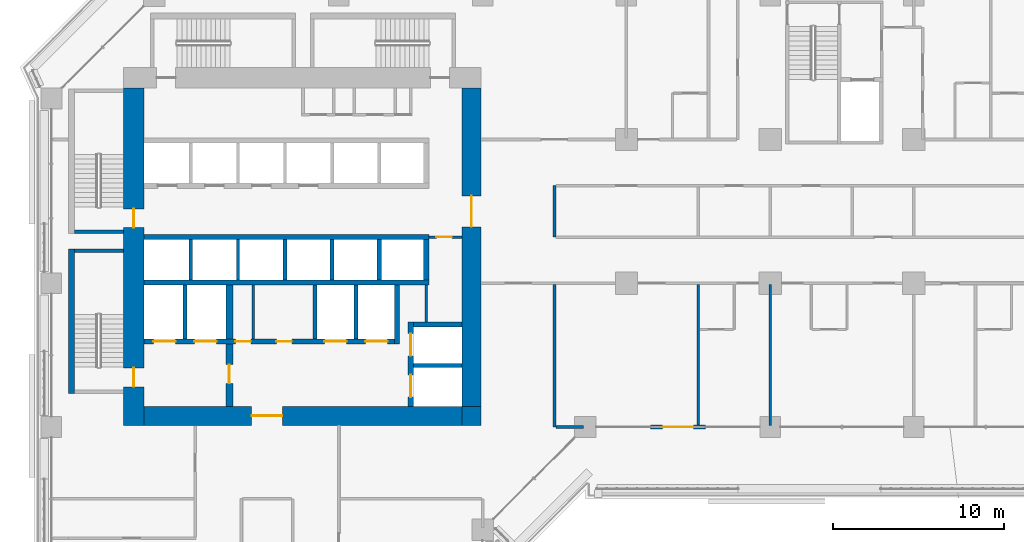
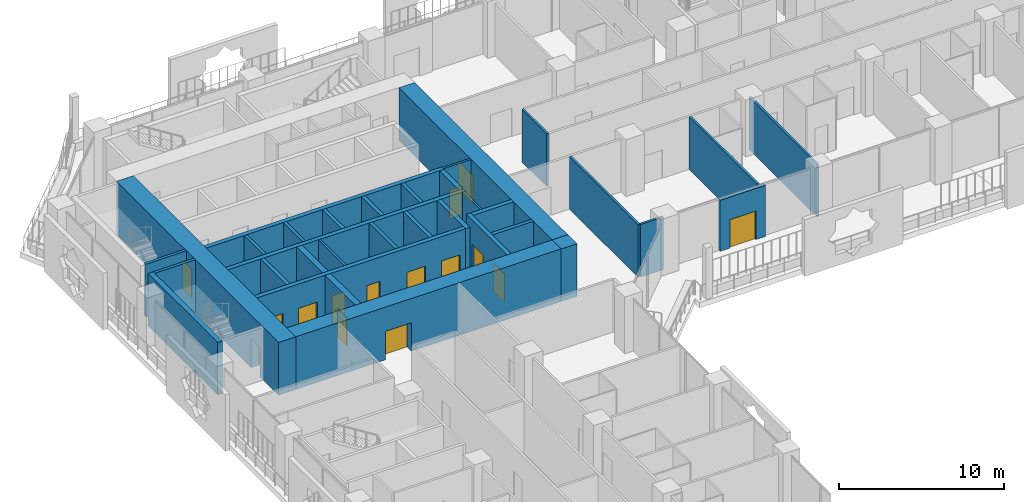
# One storey, part 15 of 27: 34 walls, 15 doors, 15 openings.
"""IFC4 building model written with IfcOpenShell, lengths in metres."""

from ifc_helpers import new_model, si_unit, direction, frame, frame_2d, origin, place, context, subcontext, project, spatial, rectangle, extrude, material, layer, layer_set, type_object, element, fill, save


model = new_model("IFC4")

# Units and contexts
model_context = context("Model", 3, precision=1e-05, world=origin(), true_north=direction((0.0, 1.0)))
body_context = subcontext(model_context, "Body", "Model", "MODEL_VIEW")
ifc_project = project(units=[si_unit("LENGTHUNIT", "METRE"), si_unit("AREAUNIT", "SQUARE_METRE"), si_unit("VOLUMEUNIT", "CUBIC_METRE"), si_unit("PLANEANGLEUNIT", "RADIAN"), si_unit("MASSUNIT", "GRAM", prefix="KILO")], contexts=[model_context])

# Site, building, storey
site_placement = place(None, origin())
site = spatial("IfcSite", under=ifc_project, at=site_placement, CompositionType="ELEMENT")
building_placement = place(site_placement, origin())
building = spatial("IfcBuilding", under=site, at=building_placement, Name="Kawkab Arch Medical Tower", CompositionType="ELEMENT")
storey_placement = place(building_placement, frame((0.0, 0.0, 85.39990234375)))
storey = spatial("IfcBuildingStorey", under=building, at=storey_placement, Name="L19", CompositionType="ELEMENT", Elevation=85.39990234375)

# Wall, opening, door
ifc_material_1 = material(Name="Concrete C60/75", Category="concrete")
ifc_layer_1 = layer(ifc_material_1, 1.10009765625)
ifc_layer_set_1 = layer_set([ifc_layer_1], Name="Concrete C60/75")
wall_type_1 = type_object("IfcWallType", Name="Core ring wall 1100 C60/75", PredefinedType="SHEAR", material=ifc_layer_set_1)
wall_1_placement = place(storey_placement, frame((24.550048828125, -24.0, 0.0), z_axis=(0.0, 0.0, 1.0), x_axis=(0.0, 1.0, 0.0)))
wall_1 = element("IfcWall", 1, at=wall_1_placement, inside=storey, type_object=wall_type_1, Name="L19 core wall", PredefinedType="SHEAR", context=body_context, shape_type="SweptSolid", body=[
    extrude(rectangle(XDim=18.60009765625, YDim=1.10009765625, at=frame_2d((9.300048828125, 0.0))), origin(), (0.0, 0.0, 1.0), 3.900146484375),
])
opening_1_placement = place(wall_1_placement, frame((10.5, 0.0, 0.0)))
opening_1 = element("IfcOpeningElement", 2, at=opening_1_placement, cuts=wall_1, Name="Opening PD", PredefinedType="OPENING", context=body_context, shape_type="SweptSolid", body=[
    extrude(rectangle(XDim=1.800048828125, YDim=2.10009765625, at=frame_2d((0.89990234375, 1.050048828125))), frame((0.0, 0.56005859375, 0.0), z_axis=(0.0, -1.0, 0.0), x_axis=(1.0, 0.0, 0.0)), (0.0, 0.0, 1.0), 1.1201171875),
])
ifc_material_2 = material(Name="Hollow metal fire door leaf")
door_type_1 = type_object("IfcDoorType", Name="Core entrance doors 1800", OperationType="DOUBLE_DOOR_SINGLE_SWING", PredefinedType="DOOR", material=ifc_material_2)
door_1_placement = place(opening_1_placement, origin())
door_1 = element("IfcDoor", 3, at=door_1_placement, inside=storey, type_object=door_type_1, Name="L19 East entrance doors", OperationType="DOUBLE_DOOR_SINGLE_SWING", OverallHeight=2.10009765625, OverallWidth=1.800048828125, PredefinedType="DOOR", context=body_context, shape_type="SweptSolid", body=[
    extrude(rectangle(XDim=1.800048828125, YDim=2.10009765625, at=frame_2d((0.89990234375, 1.050048828125))), frame((0.0, 0.02490234375, 0.0), z_axis=(0.0, -1.0, 0.0), x_axis=(1.0, 0.0, 0.0)), (0.0, 0.0, 1.0), 0.050048828125),
])
fill(opening_1, door_1)

wall_2_placement = place(storey_placement, frame((5.39990234375, -24.550048828125, 0.0), z_axis=(0.0, 0.0, 1.0), x_axis=(1.0, 0.0, 0.0)))
wall_2 = element("IfcWall", 4, at=wall_2_placement, inside=storey, type_object=wall_type_1, Name="L19 core wall", PredefinedType="SHEAR", context=body_context, shape_type="SweptSolid", body=[
    extrude(rectangle(XDim=18.60009765625, YDim=1.10009765625, at=frame_2d((9.300048828125, 0.0))), origin(), (0.0, 0.0, 1.0), 3.900146484375),
])
opening_2_placement = place(wall_2_placement, frame((6.300048828125, 0.0, 0.0)))
opening_2 = element("IfcOpeningElement", 5, at=opening_2_placement, cuts=wall_2, Name="Opening PD", PredefinedType="OPENING", context=body_context, shape_type="SweptSolid", body=[
    extrude(rectangle(XDim=1.800048828125, YDim=2.10009765625, at=frame_2d((0.89990234375, 1.050048828125))), frame((0.0, 0.56005859375, 0.0), z_axis=(0.0, -1.0, 0.0), x_axis=(1.0, 0.0, 0.0)), (0.0, 0.0, 1.0), 1.1201171875),
])
door_2_placement = place(opening_2_placement, origin())
door_2 = element("IfcDoor", 6, at=door_2_placement, inside=storey, type_object=door_type_1, Name="L19 South entrance doors", OperationType="DOUBLE_DOOR_SINGLE_SWING", OverallHeight=2.10009765625, OverallWidth=1.800048828125, PredefinedType="DOOR", context=body_context, shape_type="SweptSolid", body=[
    extrude(rectangle(XDim=1.800048828125, YDim=2.10009765625, at=frame_2d((0.89990234375, 1.050048828125))), frame((0.0, 0.02490234375, 0.0), z_axis=(0.0, -1.0, 0.0), x_axis=(1.0, 0.0, 0.0)), (0.0, 0.0, 1.0), 0.050048828125),
])
fill(opening_2, door_2)

# Wall
wall_3_placement = place(storey_placement, frame((24.550048828125, -25.10009765625, 0.0), z_axis=(0.0, 0.0, 1.0), x_axis=(0.0, 1.0, 0.0)))
element("IfcWall", 7, at=wall_3_placement, inside=storey, type_object=wall_type_1, Name="L19 core wall", PredefinedType="SHEAR", context=body_context, shape_type="SweptSolid", body=[
    extrude(rectangle(XDim=1.10009765625, YDim=1.10009765625, at=frame_2d((0.550048828125, 0.0))), origin(), (0.0, 0.0, 1.0), 3.900146484375),
])

# Wall, openings, doors
ifc_material_3 = material(Name="Concrete C60/75", Category="concrete")
ifc_layer_2 = layer(ifc_material_3, 1.199951171875)
ifc_layer_set_2 = layer_set([ifc_layer_2], Name="Concrete C60/75")
wall_type_2 = type_object("IfcWallType", Name="Core ring wall 1200 C60/75", PredefinedType="SHEAR", material=ifc_layer_set_2)
wall_4_placement = place(storey_placement, frame((4.800048828125, -25.10009765625, 0.0), z_axis=(0.0, 0.0, 1.0), x_axis=(0.0, 1.0, 0.0)))
wall_4 = element("IfcWall", 8, at=wall_4_placement, inside=storey, type_object=wall_type_2, Name="L19 core wall", PredefinedType="SHEAR", context=body_context, shape_type="SweptSolid", body=[
    extrude(rectangle(XDim=19.7001953125, YDim=1.199951171875, at=frame_2d((9.85009765625, 0.0))), origin(), (0.0, 0.0, 1.0), 3.900146484375),
])
opening_3_placement = place(wall_4_placement, frame((11.550048828125, 0.0, 0.0)))
opening_3 = element("IfcOpeningElement", 9, at=opening_3_placement, cuts=wall_4, Name="Opening SD", PredefinedType="OPENING", context=body_context, shape_type="SweptSolid", body=[
    extrude(rectangle(XDim=1.10009765625, YDim=2.10009765625, at=frame_2d((0.550048828125, 1.050048828125))), frame((0.0, 0.60986328125, 0.0), z_axis=(0.0, -1.0, 0.0), x_axis=(1.0, 0.0, 0.0)), (0.0, 0.0, 1.0), 1.219970703125),
])
opening_4_placement = place(wall_4_placement, frame((2.25, 0.0, 0.0)))
opening_4 = element("IfcOpeningElement", 10, at=opening_4_placement, cuts=wall_4, Name="Opening SD", PredefinedType="OPENING", context=body_context, shape_type="SweptSolid", body=[
    extrude(rectangle(XDim=1.10009765625, YDim=2.10009765625, at=frame_2d((0.550048828125, 1.050048828125))), frame((0.0, 0.60986328125, 0.0), z_axis=(0.0, -1.0, 0.0), x_axis=(1.0, 0.0, 0.0)), (0.0, 0.0, 1.0), 1.219970703125),
])
ifc_material_4 = material(Name="Hollow metal fire door leaf")
door_type_2 = type_object("IfcDoorType", Name="Exit stair door 1100", OperationType="SINGLE_SWING_LEFT", PredefinedType="DOOR", material=ifc_material_4)
door_3_placement = place(opening_3_placement, origin())
door_3 = element("IfcDoor", 11, at=door_3_placement, inside=storey, type_object=door_type_2, Name="L19 Exit stair ST1 door", OperationType="SINGLE_SWING_LEFT", OverallHeight=2.10009765625, OverallWidth=1.10009765625, PredefinedType="DOOR", context=body_context, shape_type="SweptSolid", body=[
    extrude(rectangle(XDim=1.10009765625, YDim=2.10009765625, at=frame_2d((0.550048828125, 1.050048828125))), frame((0.0, 0.02490234375, 0.0), z_axis=(0.0, -1.0, 0.0), x_axis=(1.0, 0.0, 0.0)), (0.0, 0.0, 1.0), 0.050048828125),
])
fill(opening_3, door_3)
door_4_placement = place(opening_4_placement, origin())
door_4 = element("IfcDoor", 12, at=door_4_placement, inside=storey, type_object=door_type_2, Name="L19 Exit stair ST2 door", OperationType="SINGLE_SWING_LEFT", OverallHeight=2.10009765625, OverallWidth=1.10009765625, PredefinedType="DOOR", context=body_context, shape_type="SweptSolid", body=[
    extrude(rectangle(XDim=1.10009765625, YDim=2.10009765625, at=frame_2d((0.550048828125, 1.050048828125))), frame((0.0, 0.02490234375, 0.0), z_axis=(0.0, -1.0, 0.0), x_axis=(1.0, 0.0, 0.0)), (0.0, 0.0, 1.0), 0.050048828125),
])
fill(opening_4, door_4)

# Wall
ifc_material_5 = material(Name="Gypsum board on steel studs", Category="steel")
ifc_layer_3 = layer(ifc_material_5, 0.14990234375)
ifc_layer_set_3 = layer_set([ifc_layer_3], Name="Gypsum board on steel studs")
wall_type_3 = type_object("IfcWallType", Name="Core room partition 150", PredefinedType="PARTITIONING", material=ifc_layer_set_3)
wall_5_placement = place(storey_placement, frame((21.89990234375, -19.050048828125, 0.0), z_axis=(0.0, 0.0, 1.0), x_axis=(0.0, 1.0, 0.0)))
element("IfcWall", 13, at=wall_5_placement, inside=storey, type_object=wall_type_3, Name="L19 core room partition", PredefinedType="PARTITIONING", context=body_context, shape_type="SweptSolid", body=[
    extrude(rectangle(XDim=2.150146484375, YDim=0.14990234375, at=frame_2d((1.0751953125, 0.0))), origin(), (0.0, 0.0, 1.0), 3.900146484375),
])

# Wall, opening, door
wall_6_placement = place(storey_placement, frame((22.050048828125, -14.10009765625, 0.0), z_axis=(0.0, 0.0, 1.0), x_axis=(1.0, 0.0, 0.0)))
wall_6 = element("IfcWall", 14, at=wall_6_placement, inside=storey, type_object=wall_type_3, Name="L19 core room partition", PredefinedType="PARTITIONING", context=body_context, shape_type="SweptSolid", body=[
    extrude(rectangle(XDim=1.949951171875, YDim=0.14990234375, at=frame_2d((0.97509765625, 0.0))), origin(), (0.0, 0.0, 1.0), 3.900146484375),
])
opening_5_placement = place(wall_6_placement, frame((0.449951171875, 0.0, 0.0)))
opening_5 = element("IfcOpeningElement", 15, at=opening_5_placement, cuts=wall_6, Name="Opening RD", PredefinedType="OPENING", context=body_context, shape_type="SweptSolid", body=[
    extrude(rectangle(XDim=0.89990234375, YDim=2.10009765625, at=frame_2d((0.449951171875, 1.050048828125))), frame((0.0, 0.0849609375, 0.0), z_axis=(0.0, -1.0, 0.0), x_axis=(1.0, 0.0, 0.0)), (0.0, 0.0, 1.0), 0.169921875),
])
ifc_material_6 = material(Name="Hollow metal fire door leaf")
door_type_3 = type_object("IfcDoorType", Name="Core room door 900", OperationType="SINGLE_SWING_LEFT", PredefinedType="DOOR", material=ifc_material_6)
door_5_placement = place(opening_5_placement, origin())
door_5 = element("IfcDoor", 16, at=door_5_placement, inside=storey, type_object=door_type_3, Name="L19 Ward pantry door", OperationType="SINGLE_SWING_LEFT", OverallHeight=2.10009765625, OverallWidth=0.89990234375, PredefinedType="DOOR", context=body_context, shape_type="SweptSolid", body=[
    extrude(rectangle(XDim=0.89990234375, YDim=2.10009765625, at=frame_2d((0.449951171875, 1.050048828125))), frame((0.0, 0.02490234375, 0.0), z_axis=(0.0, -1.0, 0.0), x_axis=(1.0, 0.0, 0.0)), (0.0, 0.0, 1.0), 0.050048828125),
])
fill(opening_5, door_5)

# Walls
wall_7_placement = place(storey_placement, frame((11.800048828125, -20.050048828125, 0.0), z_axis=(0.0, 0.0, 1.0), x_axis=(0.0, 1.0, 0.0)))
element("IfcWall", 17, at=wall_7_placement, inside=storey, type_object=wall_type_3, Name="L19 core room partition", PredefinedType="PARTITIONING", context=body_context, shape_type="SweptSolid", body=[
    extrude(rectangle(XDim=3.150146484375, YDim=0.14990234375, at=frame_2d((1.5751953125, 0.0))), origin(), (0.0, 0.0, 1.0), 3.900146484375),
])
ifc_material_7 = material(Name="Concrete C60/75", Category="concrete")
ifc_layer_4 = layer(ifc_material_7, 0.25)
ifc_layer_set_4 = layer_set([ifc_layer_4], Name="Concrete C60/75")
wall_type_4 = type_object("IfcWallType", Name="Core shear wall 250 C60/75", PredefinedType="SHEAR", material=ifc_layer_set_4)
wall_8_placement = place(storey_placement, frame((21.14990234375, -21.60009765625, 0.0), z_axis=(0.0, 0.0, 1.0), x_axis=(1.0, 0.0, 0.0)))
element("IfcWall", 18, at=wall_8_placement, inside=storey, type_object=wall_type_4, Name="L19 core shear wall", PredefinedType="SHEAR", context=body_context, shape_type="SweptSolid", body=[
    extrude(rectangle(XDim=2.85009765625, YDim=0.25, at=frame_2d((1.425048828125, 0.0))), origin(), (0.0, 0.0, 1.0), 3.900146484375),
])
for number, where, z_axis, x_axis, name in (
    (19, (7.800048828125, -20.050048828125, 0.0), (0.0, 0.0, 1.0), (0.0, 1.0, 0.0), "L19 core shear wall"),
    (20, (15.39990234375, -20.050048828125, 0.0), (0.0, 0.0, 1.0), (0.0, 1.0, 0.0), "L19 core shear wall"),
    (21, (17.800048828125, -20.050048828125, 0.0), (0.0, 0.0, 1.0), (0.0, 1.0, 0.0), "L19 core shear wall"),
):
    element("IfcWall", number, at=place(storey_placement, frame(where, z_axis=z_axis, x_axis=x_axis)), inside=storey, type_object=wall_type_4, Name=name, PredefinedType="SHEAR", context=body_context, shape_type="SweptSolid", body=[
        extrude(rectangle(XDim=3.150146484375, YDim=0.25, at=frame_2d((1.5751953125, 0.0))), origin(), (0.0, 0.0, 1.0), 3.900146484375),
    ])
for number, where, z_axis, x_axis, name in (
    (22, (13.64990234375, -16.60009765625, 0.0), (0.0, 0.0, 1.0), (0.0, 1.0, 0.0), "L19 core shear wall"),
    (23, (16.39990234375, -16.60009765625, 0.0), (0.0, 0.0, 1.0), (0.0, 1.0, 0.0), "L19 core shear wall"),
    (24, (19.14990234375, -16.60009765625, 0.0), (0.0, 0.0, 1.0), (0.0, 1.0, 0.0), "L19 core shear wall"),
):
    element("IfcWall", number, at=place(storey_placement, frame(where, z_axis=z_axis, x_axis=x_axis)), inside=storey, type_object=wall_type_4, Name=name, PredefinedType="SHEAR", context=body_context, shape_type="SweptSolid", body=[
        extrude(rectangle(XDim=2.35009765625, YDim=0.25, at=frame_2d((1.175048828125, 0.0))), origin(), (0.0, 0.0, 1.0), 3.900146484375),
    ])
ifc_material_8 = material(Name="Concrete C60/75", Category="concrete")
ifc_layer_5 = layer(ifc_material_8, 0.300048828125)
ifc_layer_set_5 = layer_set([ifc_layer_5], Name="Concrete C60/75")
wall_type_5 = type_object("IfcWallType", Name="Core shear wall 300 C60/75", PredefinedType="SHEAR", material=ifc_layer_set_5)
for number, where, z_axis, x_axis, name in (
    (25, (5.39990234375, -14.10009765625, 0.0), (0.0, 0.0, 1.0), (1.0, 0.0, 0.0), "L19 core shear wall"),
    (26, (5.39990234375, -16.75, 0.0), (0.0, 0.0, 1.0), (1.0, 0.0, 0.0), "L19 core shear wall"),
):
    element("IfcWall", number, at=place(storey_placement, frame(where, z_axis=z_axis, x_axis=x_axis)), inside=storey, type_object=wall_type_5, Name=name, PredefinedType="SHEAR", context=body_context, shape_type="SweptSolid", body=[
        extrude(rectangle(XDim=16.650146484375, YDim=0.300048828125, at=frame_2d((8.3251953125, 0.0))), origin(), (0.0, 0.0, 1.0), 3.900146484375),
    ])

# Wall, openings, doors
wall_9_placement = place(storey_placement, frame((5.39990234375, -20.199951171875, 0.0), z_axis=(0.0, 0.0, 1.0), x_axis=(1.0, 0.0, 0.0)))
wall_9 = element("IfcWall", 27, at=wall_9_placement, inside=storey, type_object=wall_type_5, Name="L19 core shear wall", PredefinedType="SHEAR", context=body_context, shape_type="SweptSolid", body=[
    extrude(rectangle(XDim=14.650146484375, YDim=0.300048828125, at=frame_2d((7.3251953125, 0.0))), origin(), (0.0, 0.0, 1.0), 3.900146484375),
])
opening_6_placement = place(wall_9_placement, frame((10.550048828125, 0.0, 0.0)))
opening_6 = element("IfcOpeningElement", 28, at=opening_6_placement, cuts=wall_9, Name="Opening LD2", PredefinedType="OPENING", context=body_context, shape_type="SweptSolid", body=[
    extrude(rectangle(XDim=1.300048828125, YDim=2.10009765625, at=frame_2d((0.64990234375, 1.050048828125))), frame((0.0, 0.159912109375, 0.0), z_axis=(0.0, -1.0, 0.0), x_axis=(1.0, 0.0, 0.0)), (0.0, 0.0, 1.0), 0.320068359375),
])
opening_7_placement = place(wall_9_placement, frame((12.949951171875, 0.0, 0.0)))
opening_7 = element("IfcOpeningElement", 29, at=opening_7_placement, cuts=wall_9, Name="Opening LD2", PredefinedType="OPENING", context=body_context, shape_type="SweptSolid", body=[
    extrude(rectangle(XDim=1.300048828125, YDim=2.10009765625, at=frame_2d((0.64990234375, 1.050048828125))), frame((0.0, 0.159912109375, 0.0), z_axis=(0.0, -1.0, 0.0), x_axis=(1.0, 0.0, 0.0)), (0.0, 0.0, 1.0), 0.320068359375),
])
opening_8_placement = place(wall_9_placement, frame((0.550048828125, 0.0, 0.0)))
opening_8 = element("IfcOpeningElement", 30, at=opening_8_placement, cuts=wall_9, Name="Opening LD2", PredefinedType="OPENING", context=body_context, shape_type="SweptSolid", body=[
    extrude(rectangle(XDim=1.300048828125, YDim=2.10009765625, at=frame_2d((0.64990234375, 1.050048828125))), frame((0.0, 0.159912109375, 0.0), z_axis=(0.0, -1.0, 0.0), x_axis=(1.0, 0.0, 0.0)), (0.0, 0.0, 1.0), 0.320068359375),
])
opening_9_placement = place(wall_9_placement, frame((2.949951171875, 0.0, 0.0)))
opening_9 = element("IfcOpeningElement", 31, at=opening_9_placement, cuts=wall_9, Name="Opening LD2", PredefinedType="OPENING", context=body_context, shape_type="SweptSolid", body=[
    extrude(rectangle(XDim=1.300048828125, YDim=2.10009765625, at=frame_2d((0.64990234375, 1.050048828125))), frame((0.0, 0.159912109375, 0.0), z_axis=(0.0, -1.0, 0.0), x_axis=(1.0, 0.0, 0.0)), (0.0, 0.0, 1.0), 0.320068359375),
])
opening_10_placement = place(wall_9_placement, frame((5.35009765625, 0.0, 0.0)))
opening_10 = element("IfcOpeningElement", 32, at=opening_10_placement, cuts=wall_9, Name="Opening RD", PredefinedType="OPENING", context=body_context, shape_type="SweptSolid", body=[
    extrude(rectangle(XDim=0.89990234375, YDim=2.10009765625, at=frame_2d((0.449951171875, 1.050048828125))), frame((0.0, 0.159912109375, 0.0), z_axis=(0.0, -1.0, 0.0), x_axis=(1.0, 0.0, 0.0)), (0.0, 0.0, 1.0), 0.320068359375),
])
opening_11_placement = place(wall_9_placement, frame((7.75, 0.0, 0.0)))
opening_11 = element("IfcOpeningElement", 33, at=opening_11_placement, cuts=wall_9, Name="Opening RD", PredefinedType="OPENING", context=body_context, shape_type="SweptSolid", body=[
    extrude(rectangle(XDim=0.89990234375, YDim=2.10009765625, at=frame_2d((0.449951171875, 1.050048828125))), frame((0.0, 0.159912109375, 0.0), z_axis=(0.0, -1.0, 0.0), x_axis=(1.0, 0.0, 0.0)), (0.0, 0.0, 1.0), 0.320068359375),
])
door_6_placement = place(opening_10_placement, origin())
door_6 = element("IfcDoor", 34, at=door_6_placement, inside=storey, type_object=door_type_3, Name="L19 Linen store door", OperationType="SINGLE_SWING_LEFT", OverallHeight=2.10009765625, OverallWidth=0.89990234375, PredefinedType="DOOR", context=body_context, shape_type="SweptSolid", body=[
    extrude(rectangle(XDim=0.89990234375, YDim=2.10009765625, at=frame_2d((0.449951171875, 1.050048828125))), frame((0.0, 0.02490234375, 0.0), z_axis=(0.0, -1.0, 0.0), x_axis=(1.0, 0.0, 0.0)), (0.0, 0.0, 1.0), 0.050048828125),
])
fill(opening_10, door_6)
door_7_placement = place(opening_11_placement, origin())
door_7 = element("IfcDoor", 35, at=door_7_placement, inside=storey, type_object=door_type_3, Name="L19 Dirty utility room door", OperationType="SINGLE_SWING_LEFT", OverallHeight=2.10009765625, OverallWidth=0.89990234375, PredefinedType="DOOR", context=body_context, shape_type="SweptSolid", body=[
    extrude(rectangle(XDim=0.89990234375, YDim=2.10009765625, at=frame_2d((0.449951171875, 1.050048828125))), frame((0.0, 0.02490234375, 0.0), z_axis=(0.0, -1.0, 0.0), x_axis=(1.0, 0.0, 0.0)), (0.0, 0.0, 1.0), 0.050048828125),
])
fill(opening_11, door_7)
ifc_material_9 = material(Name="Stainless steel lift door leaf", Category="steel")
door_type_4 = type_object("IfcDoorType", Name="Lift landing door 1300", OperationType="DOUBLE_DOOR_SLIDING", PredefinedType="DOOR", material=ifc_material_9)
door_8_placement = place(opening_6_placement, origin())
door_8 = element("IfcDoor", 36, at=door_8_placement, inside=storey, type_object=door_type_4, Name="L19 Lift landing door BD3", OperationType="DOUBLE_DOOR_SLIDING", OverallHeight=2.10009765625, OverallWidth=1.300048828125, PredefinedType="DOOR", context=body_context, shape_type="SweptSolid", body=[
    extrude(rectangle(XDim=1.300048828125, YDim=2.10009765625, at=frame_2d((0.64990234375, 1.050048828125))), frame((0.0, 0.02490234375, 0.0), z_axis=(0.0, -1.0, 0.0), x_axis=(1.0, 0.0, 0.0)), (0.0, 0.0, 1.0), 0.050048828125),
])
fill(opening_6, door_8)
door_9_placement = place(opening_7_placement, origin())
door_9 = element("IfcDoor", 37, at=door_9_placement, inside=storey, type_object=door_type_4, Name="L19 Lift landing door BD4", OperationType="DOUBLE_DOOR_SLIDING", OverallHeight=2.10009765625, OverallWidth=1.300048828125, PredefinedType="DOOR", context=body_context, shape_type="SweptSolid", body=[
    extrude(rectangle(XDim=1.300048828125, YDim=2.10009765625, at=frame_2d((0.64990234375, 1.050048828125))), frame((0.0, 0.02490234375, 0.0), z_axis=(0.0, -1.0, 0.0), x_axis=(1.0, 0.0, 0.0)), (0.0, 0.0, 1.0), 0.050048828125),
])
fill(opening_7, door_9)
door_10_placement = place(opening_8_placement, origin())
door_10 = element("IfcDoor", 38, at=door_10_placement, inside=storey, type_object=door_type_4, Name="L19 Lift landing door FL1", OperationType="DOUBLE_DOOR_SLIDING", OverallHeight=2.10009765625, OverallWidth=1.300048828125, PredefinedType="DOOR", context=body_context, shape_type="SweptSolid", body=[
    extrude(rectangle(XDim=1.300048828125, YDim=2.10009765625, at=frame_2d((0.64990234375, 1.050048828125))), frame((0.0, 0.02490234375, 0.0), z_axis=(0.0, -1.0, 0.0), x_axis=(1.0, 0.0, 0.0)), (0.0, 0.0, 1.0), 0.050048828125),
])
fill(opening_8, door_10)
door_11_placement = place(opening_9_placement, origin())
door_11 = element("IfcDoor", 39, at=door_11_placement, inside=storey, type_object=door_type_4, Name="L19 Lift landing door FL2", OperationType="DOUBLE_DOOR_SLIDING", OverallHeight=2.10009765625, OverallWidth=1.300048828125, PredefinedType="DOOR", context=body_context, shape_type="SweptSolid", body=[
    extrude(rectangle(XDim=1.300048828125, YDim=2.10009765625, at=frame_2d((0.64990234375, 1.050048828125))), frame((0.0, 0.02490234375, 0.0), z_axis=(0.0, -1.0, 0.0), x_axis=(1.0, 0.0, 0.0)), (0.0, 0.0, 1.0), 0.050048828125),
])
fill(opening_9, door_11)

# Walls
wall_10_placement = place(storey_placement, frame((20.199951171875, -20.35009765625, 0.0), z_axis=(0.0, 0.0, 1.0), x_axis=(0.0, 1.0, 0.0)))
element("IfcWall", 40, at=wall_10_placement, inside=storey, type_object=wall_type_5, Name="L19 core shear wall", PredefinedType="SHEAR", context=body_context, shape_type="SweptSolid", body=[
    extrude(rectangle(XDim=3.4501953125, YDim=0.300048828125, at=frame_2d((1.72509765625, 0.0))), origin(), (0.0, 0.0, 1.0), 3.900146484375),
])
wall_11_placement = place(storey_placement, frame((21.89990234375, -16.60009765625, 0.0), z_axis=(0.0, 0.0, 1.0), x_axis=(0.0, 1.0, 0.0)))
element("IfcWall", 41, at=wall_11_placement, inside=storey, type_object=wall_type_5, Name="L19 core shear wall", PredefinedType="SHEAR", context=body_context, shape_type="SweptSolid", body=[
    extrude(rectangle(XDim=2.35009765625, YDim=0.300048828125, at=frame_2d((1.175048828125, 0.0))), origin(), (0.0, 0.0, 1.0), 3.900146484375),
])
wall_12_placement = place(storey_placement, frame((21.14990234375, -19.199951171875, 0.0), z_axis=(0.0, 0.0, 1.0), x_axis=(1.0, 0.0, 0.0)))
element("IfcWall", 42, at=wall_12_placement, inside=storey, type_object=wall_type_5, Name="L19 core shear wall", PredefinedType="SHEAR", context=body_context, shape_type="SweptSolid", body=[
    extrude(rectangle(XDim=2.85009765625, YDim=0.300048828125, at=frame_2d((1.425048828125, 0.0))), origin(), (0.0, 0.0, 1.0), 3.900146484375),
])

# Wall, openings, doors
wall_13_placement = place(storey_placement, frame((21.0, -24.0, 0.0), z_axis=(0.0, 0.0, 1.0), x_axis=(0.0, 1.0, 0.0)))
wall_13 = element("IfcWall", 43, at=wall_13_placement, inside=storey, type_object=wall_type_5, Name="L19 core shear wall", PredefinedType="SHEAR", context=body_context, shape_type="SweptSolid", body=[
    extrude(rectangle(XDim=4.949951171875, YDim=0.300048828125, at=frame_2d((2.47509765625, 0.0))), origin(), (0.0, 0.0, 1.0), 3.900146484375),
])
opening_12_placement = place(wall_13_placement, frame((2.949951171875, 0.0, 0.0)))
opening_12 = element("IfcOpeningElement", 44, at=opening_12_placement, cuts=wall_13, Name="Opening LD2", PredefinedType="OPENING", context=body_context, shape_type="SweptSolid", body=[
    extrude(rectangle(XDim=1.300048828125, YDim=2.10009765625, at=frame_2d((0.64990234375, 1.050048828125))), frame((0.0, 0.159912109375, 0.0), z_axis=(0.0, -1.0, 0.0), x_axis=(1.0, 0.0, 0.0)), (0.0, 0.0, 1.0), 0.320068359375),
])
opening_13_placement = place(wall_13_placement, frame((0.550048828125, 0.0, 0.0)))
opening_13 = element("IfcOpeningElement", 45, at=opening_13_placement, cuts=wall_13, Name="Opening LD2", PredefinedType="OPENING", context=body_context, shape_type="SweptSolid", body=[
    extrude(rectangle(XDim=1.300048828125, YDim=2.10009765625, at=frame_2d((0.64990234375, 1.050048828125))), frame((0.0, 0.159912109375, 0.0), z_axis=(0.0, -1.0, 0.0), x_axis=(1.0, 0.0, 0.0)), (0.0, 0.0, 1.0), 0.320068359375),
])
door_12_placement = place(opening_12_placement, origin())
door_12 = element("IfcDoor", 46, at=door_12_placement, inside=storey, type_object=door_type_4, Name="L19 Lift landing door BD1", OperationType="DOUBLE_DOOR_SLIDING", OverallHeight=2.10009765625, OverallWidth=1.300048828125, PredefinedType="DOOR", context=body_context, shape_type="SweptSolid", body=[
    extrude(rectangle(XDim=1.300048828125, YDim=2.10009765625, at=frame_2d((0.64990234375, 1.050048828125))), frame((0.0, 0.02490234375, 0.0), z_axis=(0.0, -1.0, 0.0), x_axis=(1.0, 0.0, 0.0)), (0.0, 0.0, 1.0), 0.050048828125),
])
fill(opening_12, door_12)
door_13_placement = place(opening_13_placement, origin())
door_13 = element("IfcDoor", 47, at=door_13_placement, inside=storey, type_object=door_type_4, Name="L19 Lift landing door BD2", OperationType="DOUBLE_DOOR_SLIDING", OverallHeight=2.10009765625, OverallWidth=1.300048828125, PredefinedType="DOOR", context=body_context, shape_type="SweptSolid", body=[
    extrude(rectangle(XDim=1.300048828125, YDim=2.10009765625, at=frame_2d((0.64990234375, 1.050048828125))), frame((0.0, 0.02490234375, 0.0), z_axis=(0.0, -1.0, 0.0), x_axis=(1.0, 0.0, 0.0)), (0.0, 0.0, 1.0), 0.050048828125),
])
fill(opening_13, door_13)

# Wall, opening, door
ifc_material_10 = material(Name="Concrete C60/75", Category="concrete")
ifc_layer_6 = layer(ifc_material_10, 0.39990234375)
ifc_layer_set_6 = layer_set([ifc_layer_6], Name="Concrete C60/75")
wall_type_6 = type_object("IfcWallType", Name="Core shear wall 400 C60/75", PredefinedType="SHEAR", material=ifc_layer_set_6)
wall_14_placement = place(storey_placement, frame((10.39990234375, -24.0, 0.0), z_axis=(0.0, 0.0, 1.0), x_axis=(0.0, 1.0, 0.0)))
wall_14 = element("IfcWall", 48, at=wall_14_placement, inside=storey, type_object=wall_type_6, Name="L19 core shear wall", PredefinedType="SHEAR", context=body_context, shape_type="SweptSolid", body=[
    extrude(rectangle(XDim=3.64990234375, YDim=0.39990234375, at=frame_2d((1.824951171875, 0.0))), origin(), (0.0, 0.0, 1.0), 3.900146484375),
])
opening_14_placement = place(wall_14_placement, frame((1.35009765625, 0.0, 0.0)))
opening_14 = element("IfcOpeningElement", 49, at=opening_14_placement, cuts=wall_14, Name="Opening FD", PredefinedType="OPENING", context=body_context, shape_type="SweptSolid", body=[
    extrude(rectangle(XDim=1.10009765625, YDim=2.10009765625, at=frame_2d((0.550048828125, 1.050048828125))), frame((0.0, 0.2099609375, 0.0), z_axis=(0.0, -1.0, 0.0), x_axis=(1.0, 0.0, 0.0)), (0.0, 0.0, 1.0), 0.419921875),
])
ifc_material_11 = material(Name="Hollow metal fire door leaf")
door_type_5 = type_object("IfcDoorType", Name="Firefighting lobby door 1100", OperationType="SINGLE_SWING_LEFT", PredefinedType="DOOR", material=ifc_material_11)
door_14_placement = place(opening_14_placement, origin())
door_14 = element("IfcDoor", 50, at=door_14_placement, inside=storey, type_object=door_type_5, Name="L19 Firefighting lobby door", OperationType="SINGLE_SWING_LEFT", OverallHeight=2.10009765625, OverallWidth=1.10009765625, PredefinedType="DOOR", context=body_context, shape_type="SweptSolid", body=[
    extrude(rectangle(XDim=1.10009765625, YDim=2.10009765625, at=frame_2d((0.550048828125, 1.050048828125))), frame((0.0, 0.02490234375, 0.0), z_axis=(0.0, -1.0, 0.0), x_axis=(1.0, 0.0, 0.0)), (0.0, 0.0, 1.0), 0.050048828125),
])
fill(opening_14, door_14)

# Wall
wall_15_placement = place(storey_placement, frame((10.39990234375, -20.050048828125, 0.0), z_axis=(0.0, 0.0, 1.0), x_axis=(0.0, 1.0, 0.0)))
element("IfcWall", 51, at=wall_15_placement, inside=storey, type_object=wall_type_6, Name="L19 core shear wall", PredefinedType="SHEAR", context=body_context, shape_type="SweptSolid", body=[
    extrude(rectangle(XDim=3.150146484375, YDim=0.39990234375, at=frame_2d((1.5751953125, 0.0))), origin(), (0.0, 0.0, 1.0), 3.900146484375),
])

# Wall, opening, door
ifc_material_12 = material(Name="Bronze clad insulated wall panel")
ifc_layer_7 = layer(ifc_material_12, 0.25)
ifc_layer_set_7 = layer_set([ifc_layer_7], Name="Bronze clad insulated wall panel")
wall_type_7 = type_object("IfcWallType", Name="External wall bay 250", PredefinedType="SOLIDWALL", material=ifc_layer_set_7)
wall_16_placement = place(storey_placement, frame((35.0166015625, -25.199951171875, 0.0), z_axis=(0.0, 0.0, 1.0), x_axis=(1.0, 0.0, 0.0)))
wall_16 = element("IfcWall", 52, at=wall_16_placement, inside=storey, type_object=wall_type_7, Name="External wall bay L19.R07.1.2", PredefinedType="SOLIDWALL", context=body_context, shape_type="SweptSolid", body=[
    extrude(rectangle(XDim=3.191650390625, YDim=0.25, at=frame_2d((1.595703125, 0.0))), origin(), (0.0, 0.0, 1.0), 3.780029296875),
])
opening_15_placement = place(wall_16_placement, frame((0.69580078125, 0.0, 0.0)))
opening_15 = element("IfcOpeningElement", 53, at=opening_15_placement, cuts=wall_16, Name="Opening W15B-702", PredefinedType="OPENING", context=body_context, shape_type="SweptSolid", body=[
    extrude(rectangle(XDim=1.800048828125, YDim=2.10009765625, at=frame_2d((0.89990234375, 1.050048828125))), frame((0.0, 0.135009765625, 0.0), z_axis=(0.0, -1.0, 0.0), x_axis=(1.0, 0.0, 0.0)), (0.0, 0.0, 1.0), 0.27001953125),
])
ifc_material_13 = material(Name="Bronze anodised aluminium door with tinted glass", Category="aluminium")
door_type_6 = type_object("IfcDoorType", Name="Double external door 1800 x 2100", OperationType="DOUBLE_DOOR_SINGLE_SWING", PredefinedType="DOOR", material=ifc_material_13)
door_15_placement = place(opening_15_placement, origin())
door_15 = element("IfcDoor", 54, at=door_15_placement, inside=storey, type_object=door_type_6, Name="External door L19.R07.1.2", OperationType="DOUBLE_DOOR_SINGLE_SWING", OverallHeight=2.10009765625, OverallWidth=1.800048828125, PredefinedType="DOOR", context=body_context, shape_type="SweptSolid", body=[
    extrude(rectangle(XDim=1.800048828125, YDim=2.10009765625, at=frame_2d((0.89990234375, 1.050048828125))), frame((0.0, 0.02490234375, 0.0), z_axis=(0.0, -1.0, 0.0), x_axis=(1.0, 0.0, 0.0)), (0.0, 0.0, 1.0), 0.050048828125),
])
fill(opening_15, door_15)

# Walls
ifc_material_14 = material(Name="Dense concrete blockwork", Category="masonry")
ifc_layer_8 = layer(ifc_material_14, 0.199951171875)
ifc_layer_set_8 = layer_set([ifc_layer_8], Name="Dense concrete blockwork")
wall_type_8 = type_object("IfcWallType", Name="Lift shaft partition 200", PredefinedType="PARTITIONING", material=ifc_layer_set_8)
for number, where, z_axis, x_axis, name in (
    (55, (8.14990234375, -16.60009765625, 0.0), (0.0, 0.0, 1.0), (0.0, 1.0, 0.0), "L19 lift shaft partition"),
    (56, (10.89990234375, -16.60009765625, 0.0), (0.0, 0.0, 1.0), (0.0, 1.0, 0.0), "L19 lift shaft partition"),
):
    element("IfcWall", number, at=place(storey_placement, frame(where, z_axis=z_axis, x_axis=x_axis)), inside=storey, type_object=wall_type_8, Name=name, PredefinedType="PARTITIONING", context=body_context, shape_type="SweptSolid", body=[
        extrude(rectangle(XDim=2.35009765625, YDim=0.199951171875, at=frame_2d((1.175048828125, 0.0))), origin(), (0.0, 0.0, 1.0), 3.900146484375),
    ])
ifc_material_15 = material(Name="Gypsum board partition on steel studs, mineral wool", Category="steel")
ifc_layer_9 = layer(ifc_material_15, 0.14990234375)
ifc_layer_set_9 = layer_set([ifc_layer_9], Name="Gypsum board partition on steel studs, mineral wool")
wall_type_9 = type_object("IfcWallType", Name="Partition 150", PredefinedType="PARTITIONING", material=ifc_layer_set_9)
wall_17_placement = place(storey_placement, frame((29.47509765625, -25.199951171875, 0.0), z_axis=(0.0, 0.0, 1.0), x_axis=(1.0, 0.0, 0.0)))
element("IfcWall", 57, at=wall_17_placement, inside=storey, type_object=wall_type_9, Name="Partition 150 w061", PredefinedType="PARTITIONING", context=body_context, shape_type="SweptSolid", body=[
    extrude(rectangle(XDim=1.61181640625, YDim=0.14990234375, at=frame_2d((0.805908203125, 0.0))), origin(), (0.0, 0.0, 1.0), 3.900146484375),
])
wall_18_placement = place(storey_placement, frame((29.39990234375, -25.199951171875, 0.0), z_axis=(0.0, 0.0, 1.0), x_axis=(0.0, 1.0, 0.0)))
element("IfcWall", 58, at=wall_18_placement, inside=storey, type_object=wall_type_9, Name="Partition 150 w079", PredefinedType="PARTITIONING", context=body_context, shape_type="SweptSolid", body=[
    extrude(rectangle(XDim=8.324951171875, YDim=0.14990234375, at=frame_2d((4.16259765625, 0.0))), origin(), (0.0, 0.0, 1.0), 3.900146484375),
])
wall_19_placement = place(storey_placement, frame((29.39990234375, -14.10009765625, 0.0), z_axis=(0.0, 0.0, 1.0), x_axis=(0.0, 1.0, 0.0)))
element("IfcWall", 59, at=wall_19_placement, inside=storey, type_object=wall_type_9, Name="Partition 150 w080", PredefinedType="PARTITIONING", context=body_context, shape_type="SweptSolid", body=[
    extrude(rectangle(XDim=3.0, YDim=0.14990234375, at=frame_2d((1.5, 0.0))), origin(), (0.0, 0.0, 1.0), 3.900146484375),
])
for number, where, z_axis, x_axis, name in (
    (60, (37.800048828125, -25.1201171875, 0.0), (0.0, 0.0, 1.0), (0.0, 1.0, 0.0), "Partition 150 w082"),
    (61, (42.0, -25.1201171875, 0.0), (0.0, 0.0, 1.0), (0.0, 1.0, 0.0), "Partition 150 w086"),
):
    element("IfcWall", number, at=place(storey_placement, frame(where, z_axis=z_axis, x_axis=x_axis)), inside=storey, type_object=wall_type_9, Name=name, PredefinedType="PARTITIONING", context=body_context, shape_type="SweptSolid", body=[
        extrude(rectangle(XDim=8.2451171875, YDim=0.14990234375, at=frame_2d((4.12255859375, 0.0))), origin(), (0.0, 0.0, 1.0), 3.900146484375),
    ])
ifc_material_16 = material(Name="Concrete C50/60", Category="concrete")
ifc_layer_10 = layer(ifc_material_16, 0.199951171875)
ifc_layer_set_10 = layer_set([ifc_layer_10], Name="Concrete C50/60")
wall_type_10 = type_object("IfcWallType", Name="Stair enclosure wall 200 C50/60", PredefinedType="SHEAR", material=ifc_layer_set_10)
for number, where, z_axis, x_axis, name in (
    (62, (1.35009765625, -13.800048828125, 0.0), (0.0, 0.0, 1.0), (1.0, 0.0, 0.0), "L19 stair enclosure wall"),
    (63, (1.35009765625, -14.89990234375, 0.0), (0.0, 0.0, 1.0), (1.0, 0.0, 0.0), "L19 stair enclosure wall"),
):
    element("IfcWall", number, at=place(storey_placement, frame(where, z_axis=z_axis, x_axis=x_axis)), inside=storey, type_object=wall_type_10, Name=name, PredefinedType="SHEAR", context=body_context, shape_type="SweptSolid", body=[
        extrude(rectangle(XDim=2.849853515625, YDim=0.199951171875, at=frame_2d((1.4248046875, 0.0))), origin(), (0.0, 0.0, 1.0), 3.900146484375),
    ])
ifc_material_17 = material(Name="Concrete C50/60", Category="concrete")
ifc_layer_11 = layer(ifc_material_17, 0.35009765625)
ifc_layer_set_11 = layer_set([ifc_layer_11], Name="Concrete C50/60")
wall_type_11 = type_object("IfcWallType", Name="Stair enclosure wall 350 C50/60", PredefinedType="SHEAR", material=ifc_layer_set_11)
wall_20_placement = place(storey_placement, frame((1.175048828125, -23.25, 0.0), z_axis=(0.0, 0.0, 1.0), x_axis=(0.0, 1.0, 0.0)))
element("IfcWall", 64, at=wall_20_placement, inside=storey, type_object=wall_type_11, Name="L19 stair enclosure wall", PredefinedType="SHEAR", context=body_context, shape_type="SweptSolid", body=[
    extrude(rectangle(XDim=8.449951171875, YDim=0.35009765625, at=frame_2d((4.22509765625, 0.0))), origin(), (0.0, 0.0, 1.0), 3.900146484375),
])

save(model, "model.ifc")
